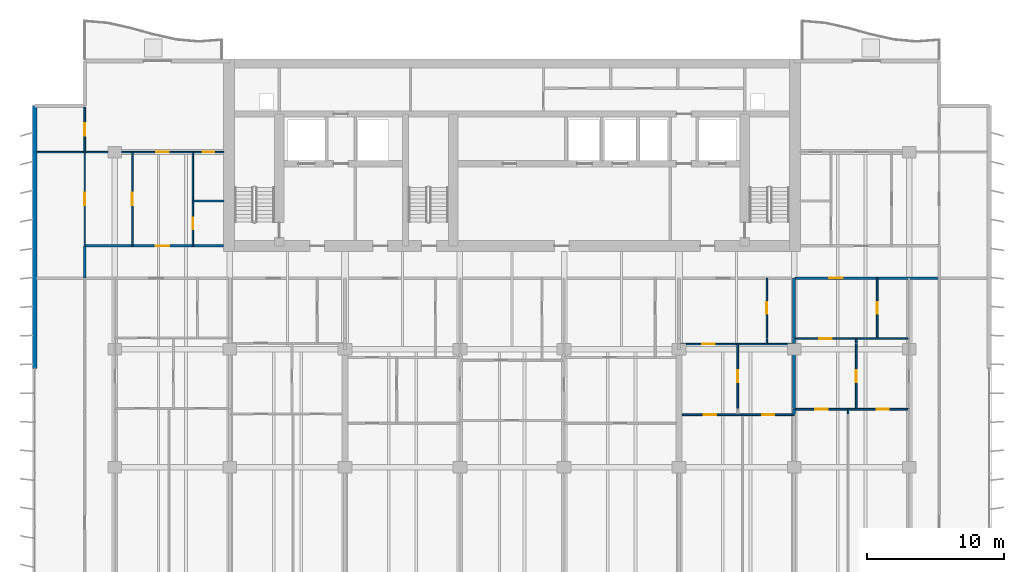
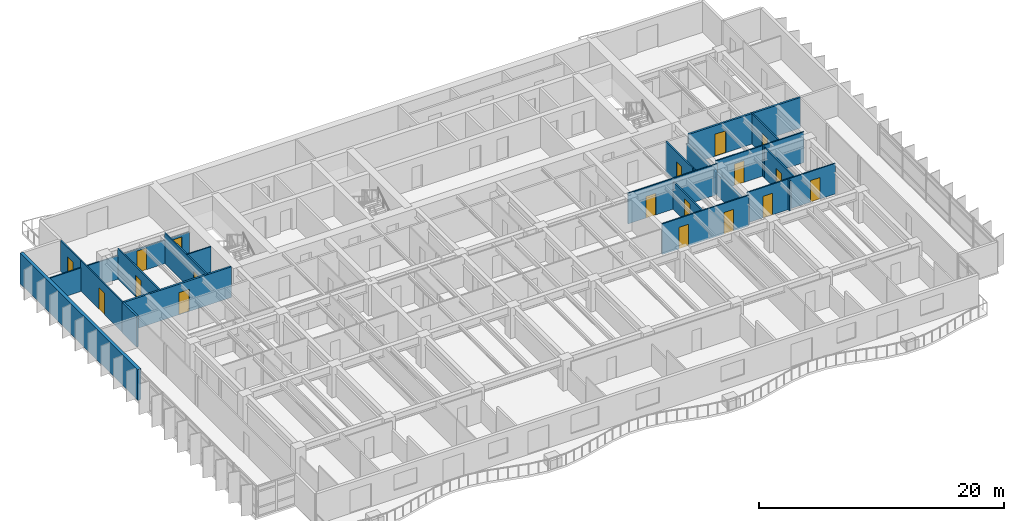
# One storey, part 9 of 16: 25 walls, 18 doors, 18 openings.
"""IFC4 building model written with IfcOpenShell, lengths in metres."""

import ifcopenshell
import ifcopenshell.guid

model = None  # the IFC model being written
_history = None  # IfcOwnerHistory: only IFC2X3 demands one
_inside = {}  # id of a spatial element -> (the spatial element, [elements in it])
_under = {}  # id of a project, library or spatial element -> (it, [spatial elements below it])
_declared = {}  # id of a project -> (the project, [libraries it declares])
_typed = {}  # id of a type object -> (the type object, [elements of that type])
_made_of = {}  # id of a material, layer set ... -> (it, [elements and type objects made of it])


def new_model(schema):
    """Start an empty IFC model of exactly this schema.

    Asked for "IFC4X3", IfcOpenShell would pick the latest addendum, in which some entities
    have other attributes; the version numbers below select the first issue.
    IFC2X3 requires an IfcOwnerHistory on every rooted entity: one is made here for all.
    """
    global model, _history
    if schema == "IFC4X3":
        model = ifcopenshell.file(schema_version=(4, 3, 0, 0))
    else:
        model = ifcopenshell.file(schema=schema)
    _inside.clear()
    _under.clear()
    _declared.clear()
    _typed.clear()
    _made_of.clear()
    _history = None
    if model.schema == "IFC2X3":
        org = make("IfcOrganization", Name="unknown")
        user = make(
            "IfcPersonAndOrganization",
            ThePerson=make("IfcPerson", FamilyName="unknown"),
            TheOrganization=org,
        )
        app = make(
            "IfcApplication",
            ApplicationDeveloper=org,
            Version="unknown",
            ApplicationFullName="unknown",
            ApplicationIdentifier="unknown",
        )
        _history = make(
            "IfcOwnerHistory",
            OwningUser=user,
            OwningApplication=app,
            ChangeAction="ADDED",
            CreationDate=0,
        )
    return model


def make(cls, **values):
    """One entity of the class cls with the attributes given. An attribute that is None is left unset."""
    return model.create_entity(
        cls, **{name: value for name, value in values.items() if value is not None}
    )


def rooted(cls, **values):
    """An entity with a GlobalId (a new one), such as an element, a storey or a relation."""
    return make(cls, GlobalId=ifcopenshell.guid.new(), OwnerHistory=_history, **values)


def si_unit(unit_type, name, prefix=None):
    """IfcSIUnit, for example si_unit("LENGTHUNIT", "METRE", prefix="MILLI")."""
    return make("IfcSIUnit", UnitType=unit_type, Prefix=prefix, Name=name)


def assignment(units):
    """IfcUnitAssignment: the units of a project."""
    return None if units is None else make("IfcUnitAssignment", Units=units)


def point(xyz):
    """IfcCartesianPoint."""
    return None if xyz is None else make("IfcCartesianPoint", Coordinates=xyz)


def direction(xyz):
    """IfcDirection."""
    return None if xyz is None else make("IfcDirection", DirectionRatios=xyz)


def frame(location, z_axis=None, x_axis=None):
    """IfcAxis2Placement3D, a coordinate frame: its origin and axes. An axis left out is left unset."""
    return make(
        "IfcAxis2Placement3D",
        Location=point(location),
        Axis=direction(z_axis),
        RefDirection=direction(x_axis),
    )


def frame_2d(location, x_axis=None):
    """IfcAxis2Placement2D, a coordinate frame in the plane: its origin and x axis."""
    return make(
        "IfcAxis2Placement2D", Location=point(location), RefDirection=direction(x_axis)
    )


def origin():
    """The frame at (0, 0, 0) with its axes left unset."""
    return frame((0.0, 0.0, 0.0))


def place(relative_to, where):
    """IfcLocalPlacement: puts the frame where relative to a parent placement (None: the world)."""
    return make(
        "IfcLocalPlacement", PlacementRelTo=relative_to, RelativePlacement=where
    )


def context(
    kind, dimensions, precision=None, world=None, true_north=None, identifier=None
):
    """IfcGeometricRepresentationContext, for example the 3D "Model" context."""
    return make(
        "IfcGeometricRepresentationContext",
        ContextIdentifier=identifier,
        ContextType=kind,
        CoordinateSpaceDimension=dimensions,
        Precision=precision,
        WorldCoordinateSystem=world,
        TrueNorth=true_north,
    )


def subcontext(parent, identifier, kind, view, scale=None):
    """IfcGeometricRepresentationSubContext, for example "Body" below "Model"."""
    return make(
        "IfcGeometricRepresentationSubContext",
        ContextIdentifier=identifier,
        ContextType=kind,
        ParentContext=parent,
        TargetScale=scale,
        TargetView=view,
    )


def project(units=None, contexts=None):
    """IfcProject with its units and contexts."""
    return rooted(
        "IfcProject",
        Name="project",
        RepresentationContexts=contexts,
        UnitsInContext=assignment(units),
    )


def spatial(cls, under=None, at=None, **own):
    """A site, building, storey or space (cls), placed at a placement, below another one or the project."""
    s = rooted(cls, ObjectPlacement=at, **own)
    if under is not None:
        _under.setdefault(under.id(), (under, []))[1].append(s)
    return s


def profile(cls, at=None, kind="AREA", **sizes):
    """A parametric profile (cls). Its sizes go by their IFC names, for example OverallWidth=200.0."""
    return make(cls, ProfileType=kind, Position=at, **sizes)


def rectangle(**sizes):
    """IfcRectangleProfileDef."""
    return profile("IfcRectangleProfileDef", **sizes)


def extrude(swept, where, along, depth):
    """IfcExtrudedAreaSolid: the profile swept, set in the frame where, extruded along a direction by depth."""
    return make(
        "IfcExtrudedAreaSolid",
        SweptArea=swept,
        Position=where,
        ExtrudedDirection=direction(along),
        Depth=depth,
    )


def shape(context_of_items, identifier, shape_type, items):
    """IfcShapeRepresentation: the items that make up one representation, for example the "Body"."""
    return make(
        "IfcShapeRepresentation",
        ContextOfItems=context_of_items,
        RepresentationIdentifier=identifier,
        RepresentationType=shape_type,
        Items=items,
    )


def material(Name=None, Category=None):
    """IfcMaterial."""
    return make("IfcMaterial", Name=Name, Category=Category)


def layer(
    of_material, thickness, ventilated=None, Name=None, Category=None, Priority=None
):
    """IfcMaterialLayer: one layer of a wall or slab, of a material (None: an air gap)."""
    return make(
        "IfcMaterialLayer",
        Material=of_material,
        LayerThickness=thickness,
        IsVentilated=ventilated,
        Name=Name,
        Category=Category,
        Priority=Priority,
    )


def layer_set(layers, Name=None):
    """IfcMaterialLayerSet."""
    return make("IfcMaterialLayerSet", MaterialLayers=layers, LayerSetName=Name)


def made_of(thing, what):
    """Note that an element or type object is made of a material, layer set ...; save() writes the relation."""
    if what is not None:
        _made_of.setdefault(what.id(), (what, []))[1].append(thing)
    return thing


def type_object(cls, material=None, **own):
    """A type object (cls), such as IfcWallType, which elements share."""
    return made_of(rooted(cls, **own), material)


def element(
    cls,
    number,
    at=None,
    inside=None,
    cuts=None,
    type_object=None,
    material=None,
    context=None,
    identifier="Body",
    shape_type=None,
    held_by="IfcProductDefinitionShape",
    body=None,
    shapes=None,
    **own,
):
    """One element of the class cls, such as IfcWall. Its Tag is "e" and its number.

    at: its placement. inside: the storey or other place that contains it. cuts: it is an
    opening in that element (IfcRelVoidsElement). A single representation is given by context,
    identifier, shape_type and body (its items); several are given by shapes. held_by: the class
    of the entity that holds the representations. save() writes the other relations.
    """
    e = rooted(cls, Tag="e%d" % number, ObjectPlacement=at, **own)
    if body is not None:
        shapes = [shape(context, identifier, shape_type, body)]
    if shapes is not None:
        e.Representation = make(held_by, Representations=shapes)
    if inside is not None:
        _inside.setdefault(inside.id(), (inside, []))[1].append(e)
    if cuts is not None:
        rooted(
            "IfcRelVoidsElement", RelatingBuildingElement=cuts, RelatedOpeningElement=e
        )
    if type_object is not None:
        _typed.setdefault(type_object.id(), (type_object, []))[1].append(e)
    return made_of(e, material)


def fill(opening, filler):
    """IfcRelFillsElement: the door or window that sits in an opening."""
    return rooted(
        "IfcRelFillsElement",
        RelatingOpeningElement=opening,
        RelatedBuildingElement=filler,
    )


def aggregate(whole, parts):
    """IfcRelAggregates: a whole, such as a stair, and the parts it consists of."""
    return rooted("IfcRelAggregates", RelatingObject=whole, RelatedObjects=parts)


def save(model, path):
    """Write the relations noted so far, then the file.

    IfcRelAggregates (storeys below a building ...), IfcRelContainedInSpatialStructure (elements
    in a storey), IfcRelDefinesByType, IfcRelAssociatesMaterial and IfcRelDeclares: one each for
    every whole, place, type object, material and project.
    """
    for whole, parts in _under.values():
        aggregate(whole, parts)
    for where, things in _inside.values():
        rooted(
            "IfcRelContainedInSpatialStructure",
            RelatedElements=things,
            RelatingStructure=where,
        )
    for kind, things in _typed.values():
        rooted("IfcRelDefinesByType", RelatedObjects=things, RelatingType=kind)
    for what, things in _made_of.values():
        rooted("IfcRelAssociatesMaterial", RelatedObjects=things, RelatingMaterial=what)
    for by, libraries in _declared.values():
        rooted("IfcRelDeclares", RelatingContext=by, RelatedDefinitions=libraries)
    model.write(path)


model = new_model("IFC4")

# Units and contexts
model_context = context("Model", 3, precision=1e-05, world=origin(), true_north=direction((0.0, 1.0)))
body_context = subcontext(model_context, "Body", "Model", "MODEL_VIEW")
ifc_project = project(units=[si_unit("LENGTHUNIT", "METRE"), si_unit("AREAUNIT", "SQUARE_METRE"), si_unit("VOLUMEUNIT", "CUBIC_METRE"), si_unit("PLANEANGLEUNIT", "RADIAN"), si_unit("MASSUNIT", "GRAM", prefix="KILO")], contexts=[model_context])

# Site, building, storey
site_placement = place(None, origin())
site = spatial("IfcSite", under=ifc_project, at=site_placement, CompositionType="ELEMENT")
building_placement = place(site_placement, origin())
building = spatial("IfcBuilding", under=site, at=building_placement, Name="Caelmar Bay Residences", CompositionType="ELEMENT")
storey_placement = place(building_placement, frame((0.0, 0.0, 102.60009765625)))
storey = spatial("IfcBuildingStorey", under=building, at=storey_placement, Name="L27", CompositionType="ELEMENT", Elevation=102.60009765625)

# Wall
ifc_material_1 = material(Name="Double-stud acoustic fire-rated gypsum partition 180 mm")
ifc_layer_1 = layer(ifc_material_1, 0.179931640625)
ifc_layer_set_1 = layer_set([ifc_layer_1], Name="Double-stud acoustic fire-rated gypsum partition 180 mm")
wall_type_1 = type_object("IfcWallType", Name="W-COR-200", PredefinedType="PARTITIONING", material=ifc_layer_set_1)
wall_1_placement = place(storey_placement, frame((7.699951171875, 34.60498046875, 0.0), z_axis=(0.0, 0.0, 1.0), x_axis=(0.0, 1.0, 0.0)))
element("IfcWall", 1, at=wall_1_placement, inside=storey, type_object=wall_type_1, Name="L27 Partition Wall V006", PredefinedType="PARTITIONING", context=body_context, shape_type="SweptSolid", body=[
    extrude(rectangle(XDim=2.344970703125, YDim=0.179931640625, at=frame_2d((1.17236328125, 0.0))), origin(), (0.0, 0.0, 1.0), 3.0498046875),
])

# Wall, opening, door
wall_2_placement = place(storey_placement, frame((59.550048828125, 34.60009765625, 0.0), z_axis=(0.0, 0.0, 1.0), x_axis=(1.0, 0.0, 0.0)))
wall_2 = element("IfcWall", 2, at=wall_2_placement, inside=storey, type_object=wall_type_1, Name="L27 Partition Wall H140", PredefinedType="PARTITIONING", context=body_context, shape_type="SweptSolid", body=[
    extrude(rectangle(XDim=10.550048828125, YDim=0.179931640625, at=frame_2d((5.27490234375, 0.0))), origin(), (0.0, 0.0, 1.0), 3.0498046875),
])
opening_1_placement = place(wall_2_placement, frame((2.510009765625, 0.0, 0.0)))
opening_1 = element("IfcOpeningElement", 3, at=opening_1_placement, cuts=wall_2, Name="Opening D-L27-158", PredefinedType="OPENING", context=body_context, shape_type="SweptSolid", body=[
    extrude(rectangle(XDim=1.0, YDim=2.199951171875, at=frame_2d((0.5, 1.10009765625))), frame((0.0, 0.099853515625, 0.0), z_axis=(0.0, -1.0, 0.0), x_axis=(1.0, 0.0, 0.0)), (0.0, 0.0, 1.0), 0.199951171875),
])
ifc_material_2 = material(Name="Fire-rated steel and walnut architectural door assembly", Category="steel")
ifc_layer_2 = layer(ifc_material_2, 0.050048828125)
ifc_layer_set_2 = layer_set([ifc_layer_2], Name="Fire-rated steel and walnut architectural door assembly")
door_type_1 = type_object("IfcDoorType", Name="D-UNIT-1000", OperationType="NOTDEFINED", PredefinedType="DOOR", material=ifc_layer_set_2)
door_1_placement = place(opening_1_placement, origin())
door_1 = element("IfcDoor", 4, at=door_1_placement, inside=storey, type_object=door_type_1, Name="L27 Residence 05 Apartment Hall Door", OperationType="SINGLE_SWING_LEFT", OverallHeight=2.199951171875, OverallWidth=1.0, PredefinedType="DOOR", context=body_context, shape_type="SweptSolid", body=[
    extrude(rectangle(XDim=1.0, YDim=2.199951171875, at=frame_2d((0.5, 1.10009765625))), frame((0.0, 0.02490234375, 0.0), z_axis=(0.0, -1.0, 0.0), x_axis=(1.0, 0.0, 0.0)), (0.0, 0.0, 1.0), 0.050048828125),
])
fill(opening_1, door_1)

wall_3_placement = place(storey_placement, frame((7.699951171875, 36.949951171875, 0.0), z_axis=(0.0, 0.0, 1.0), x_axis=(1.0, 0.0, 0.0)))
wall_3 = element("IfcWall", 5, at=wall_3_placement, inside=storey, type_object=wall_type_1, Name="L27 Partition Wall H142", PredefinedType="PARTITIONING", context=body_context, shape_type="SweptSolid", body=[
    extrude(rectangle(XDim=10.14501953125, YDim=0.179931640625, at=frame_2d((5.072509765625, 0.0))), origin(), (0.0, 0.0, 1.0), 3.0498046875),
])
opening_2_placement = place(wall_3_placement, frame((5.18798828125, 0.0, 0.0)))
opening_2 = element("IfcOpeningElement", 6, at=opening_2_placement, cuts=wall_3, Name="Opening D-L27-169", PredefinedType="OPENING", context=body_context, shape_type="SweptSolid", body=[
    extrude(rectangle(XDim=1.0, YDim=2.199951171875, at=frame_2d((0.5, 1.10009765625))), frame((0.0, 0.099853515625, 0.0), z_axis=(0.0, -1.0, 0.0), x_axis=(1.0, 0.0, 0.0)), (0.0, 0.0, 1.0), 0.199951171875),
])
door_2_placement = place(opening_2_placement, origin())
door_2 = element("IfcDoor", 7, at=door_2_placement, inside=storey, type_object=door_type_1, Name="L27 Residence WA Kitchen Door", OperationType="SINGLE_SWING_RIGHT", OverallHeight=2.199951171875, OverallWidth=1.0, PredefinedType="DOOR", context=body_context, shape_type="SweptSolid", body=[
    extrude(rectangle(XDim=1.0, YDim=2.199951171875, at=frame_2d((0.5, 1.10009765625))), frame((0.0, 0.02490234375, 0.0), z_axis=(0.0, -1.0, 0.0), x_axis=(1.0, 0.0, 0.0)), (0.0, 0.0, 1.0), 0.050048828125),
])
fill(opening_2, door_2)

# Wall
ifc_material_3 = material(Name="Precast concrete f'c 40 MPa (6,000 psi)", Category="concrete")
ifc_layer_3 = layer(ifc_material_3, 0.300048828125)
ifc_layer_set_3 = layer_set([ifc_layer_3], Name="Precast concrete f'c 40 MPa (6,000 psi)")
wall_type_2 = type_object("IfcWallType", Name="W-EXT-300", PredefinedType="STANDARD", material=ifc_layer_set_3)
wall_4_placement = place(storey_placement, frame((4.050048828125, 28.0, 0.0), z_axis=(0.0, 0.0, 1.0), x_axis=(0.0, 1.0, 0.0)))
element("IfcWall", 8, at=wall_4_placement, inside=storey, type_object=wall_type_2, Name="L27 West Rear Exterior Wall", PredefinedType="STANDARD", context=body_context, shape_type="SweptSolid", body=[
    extrude(rectangle(XDim=19.199951171875, YDim=0.300048828125, at=frame_2d((9.60009765625, 0.0))), origin(), (0.0, 0.0, 1.0), 3.0498046875),
])

# Wall, opening, door
ifc_material_4 = material(Name="Anodised bronze framed acoustic sliding study partition 100 mm")
ifc_layer_4 = layer(ifc_material_4, 0.10009765625)
ifc_layer_set_4 = layer_set([ifc_layer_4], Name="Anodised bronze framed acoustic sliding study partition 100 mm")
wall_type_3 = type_object("IfcWallType", Name="W-MOV-100", PredefinedType="MOVABLE", material=ifc_layer_set_4)
wall_5_placement = place(storey_placement, frame((7.699951171875, 36.955078125, 0.0), z_axis=(0.0, 0.0, 1.0), x_axis=(0.0, 1.0, 0.0)))
wall_5 = element("IfcWall", 9, at=wall_5_placement, inside=storey, type_object=wall_type_3, Name="L27 Partition Wall V007", PredefinedType="MOVABLE", context=body_context, shape_type="SweptSolid", body=[
    extrude(rectangle(XDim=6.844970703125, YDim=0.10009765625, at=frame_2d((3.42236328125, 0.0))), origin(), (0.0, 0.0, 1.0), 3.0498046875),
])
opening_3_placement = place(wall_5_placement, frame((2.972412109375, 0.0, 0.0)))
opening_3 = element("IfcOpeningElement", 10, at=opening_3_placement, cuts=wall_5, Name="Opening D-L27-173", PredefinedType="OPENING", context=body_context, shape_type="SweptSolid", body=[
    extrude(rectangle(XDim=0.89990234375, YDim=2.14990234375, at=frame_2d((0.449951171875, 1.074951171875))), frame((0.0, 0.06005859375, 0.0), z_axis=(0.0, -1.0, 0.0), x_axis=(1.0, 0.0, 0.0)), (0.0, 0.0, 1.0), 0.1201171875),
])
ifc_material_5 = material(Name="Solid walnut timber interior door leaf and frame", Category="wood")
ifc_layer_5 = layer(ifc_material_5, 0.050048828125)
ifc_layer_set_5 = layer_set([ifc_layer_5], Name="Solid walnut timber interior door leaf and frame")
door_type_2 = type_object("IfcDoorType", Name="D-ROOM-900", OperationType="NOTDEFINED", PredefinedType="DOOR", material=ifc_layer_set_5)
door_3_placement = place(opening_3_placement, origin())
door_3 = element("IfcDoor", 11, at=door_3_placement, inside=storey, type_object=door_type_2, Name="L27 Residence WA Sun Study Door", OperationType="SINGLE_SWING_RIGHT", OverallHeight=2.14990234375, OverallWidth=0.89990234375, PredefinedType="DOOR", context=body_context, shape_type="SweptSolid", body=[
    extrude(rectangle(XDim=0.89990234375, YDim=2.14990234375, at=frame_2d((0.449951171875, 1.074951171875))), frame((0.0, 0.02490234375, 0.0), z_axis=(0.0, -1.0, 0.0), x_axis=(1.0, 0.0, 0.0)), (0.0, 0.0, 1.0), 0.050048828125),
])
fill(opening_3, door_3)

ifc_material_6 = material(Name="Acoustic metal-stud gypsum partition 120 mm")
ifc_layer_6 = layer(ifc_material_6, 0.1201171875)
ifc_layer_set_6 = layer_set([ifc_layer_6], Name="Acoustic metal-stud gypsum partition 120 mm")
wall_type_4 = type_object("IfcWallType", Name="W-PRT-120", PredefinedType="PARTITIONING", material=ifc_layer_set_6)
wall_6_placement = place(storey_placement, frame((7.699951171875, 43.804931640625, 0.0), z_axis=(0.0, 0.0, 1.0), x_axis=(0.0, 1.0, 0.0)))
wall_6 = element("IfcWall", 12, at=wall_6_placement, inside=storey, type_object=wall_type_4, Name="L27 Partition Wall V008", PredefinedType="PARTITIONING", context=body_context, shape_type="SweptSolid", body=[
    extrude(rectangle(XDim=3.275146484375, YDim=0.1201171875, at=frame_2d((1.6376953125, 0.0))), origin(), (0.0, 0.0, 1.0), 3.0498046875),
])
opening_4_placement = place(wall_6_placement, frame((1.1875, 0.0, 0.0)))
opening_4 = element("IfcOpeningElement", 13, at=opening_4_placement, cuts=wall_6, Name="Opening D-L27-174", PredefinedType="OPENING", context=body_context, shape_type="SweptSolid", body=[
    extrude(rectangle(XDim=0.89990234375, YDim=2.14990234375, at=frame_2d((0.449951171875, 1.074951171875))), frame((0.0, 0.070068359375, 0.0), z_axis=(0.0, -1.0, 0.0), x_axis=(1.0, 0.0, 0.0)), (0.0, 0.0, 1.0), 0.14013671875),
])
door_4_placement = place(opening_4_placement, origin())
door_4 = element("IfcDoor", 14, at=door_4_placement, inside=storey, type_object=door_type_2, Name="L27 Residence WA North Sitting Alcove Door", OperationType="SINGLE_SWING_LEFT", OverallHeight=2.14990234375, OverallWidth=0.89990234375, PredefinedType="DOOR", context=body_context, shape_type="SweptSolid", body=[
    extrude(rectangle(XDim=0.89990234375, YDim=2.14990234375, at=frame_2d((0.449951171875, 1.074951171875))), frame((0.0, 0.02490234375, 0.0), z_axis=(0.0, -1.0, 0.0), x_axis=(1.0, 0.0, 0.0)), (0.0, 0.0, 1.0), 0.050048828125),
])
fill(opening_4, door_4)

wall_7_placement = place(storey_placement, frame((11.176025390625, 36.949951171875, 0.0), z_axis=(0.0, 0.0, 1.0), x_axis=(0.0, 1.0, 0.0)))
wall_7 = element("IfcWall", 15, at=wall_7_placement, inside=storey, type_object=wall_type_4, Name="L27 Partition Wall V015", PredefinedType="PARTITIONING", context=body_context, shape_type="SweptSolid", body=[
    extrude(rectangle(XDim=6.85009765625, YDim=0.1201171875, at=frame_2d((3.425048828125, 0.0))), origin(), (0.0, 0.0, 1.0), 3.0498046875),
])
opening_5_placement = place(wall_7_placement, frame((2.97509765625, 0.0, 0.0)))
opening_5 = element("IfcOpeningElement", 16, at=opening_5_placement, cuts=wall_7, Name="Opening D-L27-168", PredefinedType="OPENING", context=body_context, shape_type="SweptSolid", body=[
    extrude(rectangle(XDim=0.89990234375, YDim=2.14990234375, at=frame_2d((0.449951171875, 1.074951171875))), frame((0.0, 0.070068359375, 0.0), z_axis=(0.0, -1.0, 0.0), x_axis=(1.0, 0.0, 0.0)), (0.0, 0.0, 1.0), 0.14013671875),
])
door_5_placement = place(opening_5_placement, origin())
door_5 = element("IfcDoor", 17, at=door_5_placement, inside=storey, type_object=door_type_2, Name="L27 Residence WA Dining Room Door", OperationType="SINGLE_SWING_LEFT", OverallHeight=2.14990234375, OverallWidth=0.89990234375, PredefinedType="DOOR", context=body_context, shape_type="SweptSolid", body=[
    extrude(rectangle(XDim=0.89990234375, YDim=2.14990234375, at=frame_2d((0.449951171875, 1.074951171875))), frame((0.0, 0.02490234375, 0.0), z_axis=(0.0, -1.0, 0.0), x_axis=(1.0, 0.0, 0.0)), (0.0, 0.0, 1.0), 0.050048828125),
])
fill(opening_5, door_5)

wall_8_placement = place(storey_placement, frame((15.60009765625, 36.949951171875, 0.0), z_axis=(0.0, 0.0, 1.0), x_axis=(0.0, 1.0, 0.0)))
wall_8 = element("IfcWall", 18, at=wall_8_placement, inside=storey, type_object=wall_type_4, Name="L27 Partition Wall V021", PredefinedType="PARTITIONING", context=body_context, shape_type="SweptSolid", body=[
    extrude(rectangle(XDim=6.85009765625, YDim=0.1201171875, at=frame_2d((3.425048828125, 0.0))), origin(), (0.0, 0.0, 1.0), 3.0498046875),
])
opening_6_placement = place(wall_8_placement, frame((1.218994140625, 0.0, 0.0)))
opening_6 = element("IfcOpeningElement", 19, at=opening_6_placement, cuts=wall_8, Name="Opening D-L27-171", PredefinedType="OPENING", context=body_context, shape_type="SweptSolid", body=[
    extrude(rectangle(XDim=0.85009765625, YDim=2.10009765625, at=frame_2d((0.425048828125, 1.050048828125))), frame((0.0, 0.070068359375, 0.0), z_axis=(0.0, -1.0, 0.0), x_axis=(1.0, 0.0, 0.0)), (0.0, 0.0, 1.0), 0.14013671875),
])
ifc_layer_7 = layer(ifc_material_5, 0.050048828125)
ifc_layer_set_7 = layer_set([ifc_layer_7], Name="Solid walnut timber interior door leaf and frame")
door_type_3 = type_object("IfcDoorType", Name="D-BATH-850", OperationType="NOTDEFINED", PredefinedType="DOOR", material=ifc_layer_set_7)
door_6_placement = place(opening_6_placement, origin())
door_6 = element("IfcDoor", 20, at=door_6_placement, inside=storey, type_object=door_type_3, Name="L27 Residence WA Walk-In Closet Door", OperationType="SINGLE_SWING_RIGHT", OverallHeight=2.10009765625, OverallWidth=0.85009765625, PredefinedType="DOOR", context=body_context, shape_type="SweptSolid", body=[
    extrude(rectangle(XDim=0.85009765625, YDim=2.10009765625, at=frame_2d((0.425048828125, 1.050048828125))), frame((0.0, 0.02490234375, 0.0), z_axis=(0.0, -1.0, 0.0), x_axis=(1.0, 0.0, 0.0)), (0.0, 0.0, 1.0), 0.050048828125),
])
fill(opening_6, door_6)

wall_9_placement = place(storey_placement, frame((55.385986328125, 25.090087890625, 0.0), z_axis=(0.0, 0.0, 1.0), x_axis=(0.0, 1.0, 0.0)))
wall_9 = element("IfcWall", 21, at=wall_9_placement, inside=storey, type_object=wall_type_4, Name="L27 Partition Wall V084", PredefinedType="PARTITIONING", context=body_context, shape_type="SweptSolid", body=[
    extrude(rectangle(XDim=4.68994140625, YDim=0.1201171875, at=frame_2d((2.344970703125, 0.0))), origin(), (0.0, 0.0, 1.0), 2.724853515625),
])
opening_7_placement = place(wall_9_placement, frame((1.89501953125, 0.0, 0.0)))
opening_7 = element("IfcOpeningElement", 22, at=opening_7_placement, cuts=wall_9, Name="Opening D-L27-154", PredefinedType="OPENING", context=body_context, shape_type="SweptSolid", body=[
    extrude(rectangle(XDim=0.89990234375, YDim=2.14990234375, at=frame_2d((0.449951171875, 1.074951171875))), frame((0.0, 0.070068359375, 0.0), z_axis=(0.0, -1.0, 0.0), x_axis=(1.0, 0.0, 0.0)), (0.0, 0.0, 1.0), 0.14013671875),
])
door_7_placement = place(opening_7_placement, origin())
door_7 = element("IfcDoor", 23, at=door_7_placement, inside=storey, type_object=door_type_2, Name="L27 Residence 04 Formal Dining Room Door", OperationType="SINGLE_SWING_LEFT", OverallHeight=2.14990234375, OverallWidth=0.89990234375, PredefinedType="DOOR", context=body_context, shape_type="SweptSolid", body=[
    extrude(rectangle(XDim=0.89990234375, YDim=2.14990234375, at=frame_2d((0.449951171875, 1.074951171875))), frame((0.0, 0.02490234375, 0.0), z_axis=(0.0, -1.0, 0.0), x_axis=(1.0, 0.0, 0.0)), (0.0, 0.0, 1.0), 0.050048828125),
])
fill(opening_7, door_7)

# Wall
wall_10_placement = place(storey_placement, frame((57.508056640625, 29.840087890625, 0.0), z_axis=(0.0, 0.0, 1.0), x_axis=(0.0, 1.0, 0.0)))
element("IfcWall", 24, at=wall_10_placement, inside=storey, type_object=wall_type_4, Name="L27 Partition Wall V088", PredefinedType="PARTITIONING", context=body_context, shape_type="SweptSolid", body=[
    extrude(rectangle(XDim=0.33984375, YDim=0.1201171875, at=frame_2d((0.169921875, 0.0))), origin(), (0.0, 0.0, 1.0), 3.0498046875),
])

# Wall, opening, door
wall_11_placement = place(storey_placement, frame((57.508056640625, 30.239990234375, 0.0), z_axis=(0.0, 0.0, 1.0), x_axis=(0.0, 1.0, 0.0)))
wall_11 = element("IfcWall", 25, at=wall_11_placement, inside=storey, type_object=wall_type_4, Name="L27 Partition Wall V089", PredefinedType="PARTITIONING", context=body_context, shape_type="SweptSolid", body=[
    extrude(rectangle(XDim=4.360107421875, YDim=0.1201171875, at=frame_2d((2.18017578125, 0.0))), origin(), (0.0, 0.0, 1.0), 3.0498046875),
])
opening_8_placement = place(wall_11_placement, frame((1.7548828125, 0.0, 0.0)))
opening_8 = element("IfcOpeningElement", 26, at=opening_8_placement, cuts=wall_11, Name="Opening D-L27-152", PredefinedType="OPENING", context=body_context, shape_type="SweptSolid", body=[
    extrude(rectangle(XDim=0.85009765625, YDim=2.10009765625, at=frame_2d((0.425048828125, 1.050048828125))), frame((0.0, 0.070068359375, 0.0), z_axis=(0.0, -1.0, 0.0), x_axis=(1.0, 0.0, 0.0)), (0.0, 0.0, 1.0), 0.14013671875),
])
door_8_placement = place(opening_8_placement, origin())
door_8 = element("IfcDoor", 27, at=door_8_placement, inside=storey, type_object=door_type_3, Name="L27 Residence 04 Bathroom Door", OperationType="SINGLE_SWING_LEFT", OverallHeight=2.10009765625, OverallWidth=0.85009765625, PredefinedType="DOOR", context=body_context, shape_type="SweptSolid", body=[
    extrude(rectangle(XDim=0.85009765625, YDim=2.10009765625, at=frame_2d((0.425048828125, 1.050048828125))), frame((0.0, 0.02490234375, 0.0), z_axis=(0.0, -1.0, 0.0), x_axis=(1.0, 0.0, 0.0)), (0.0, 0.0, 1.0), 0.050048828125),
])
fill(opening_8, door_8)

# Wall
wall_12_placement = place(storey_placement, frame((63.447998046875, 24.68994140625, 0.0), z_axis=(0.0, 0.0, 1.0), x_axis=(0.0, 1.0, 0.0)))
element("IfcWall", 28, at=wall_12_placement, inside=storey, type_object=wall_type_4, Name="L27 Partition Wall V099", PredefinedType="PARTITIONING", context=body_context, shape_type="SweptSolid", body=[
    extrude(rectangle(XDim=0.340087890625, YDim=0.1201171875, at=frame_2d((0.169921875, 0.0))), origin(), (0.0, 0.0, 1.0), 3.0498046875),
])

# Wall, opening, door
wall_13_placement = place(storey_placement, frame((64.035888671875, 25.090087890625, 0.0), z_axis=(0.0, 0.0, 1.0), x_axis=(0.0, 1.0, 0.0)))
wall_13 = element("IfcWall", 29, at=wall_13_placement, inside=storey, type_object=wall_type_4, Name="L27 Partition Wall V100", PredefinedType="PARTITIONING", context=body_context, shape_type="SweptSolid", body=[
    extrude(rectangle(XDim=4.68994140625, YDim=0.1201171875, at=frame_2d((2.344970703125, 0.0))), origin(), (0.0, 0.0, 1.0), 3.0498046875),
])
opening_9_placement = place(wall_13_placement, frame((1.89501953125, 0.0, 0.0)))
opening_9 = element("IfcOpeningElement", 30, at=opening_9_placement, cuts=wall_13, Name="Opening D-L27-161", PredefinedType="OPENING", context=body_context, shape_type="SweptSolid", body=[
    extrude(rectangle(XDim=0.89990234375, YDim=2.14990234375, at=frame_2d((0.449951171875, 1.074951171875))), frame((0.0, 0.070068359375, 0.0), z_axis=(0.0, -1.0, 0.0), x_axis=(1.0, 0.0, 0.0)), (0.0, 0.0, 1.0), 0.14013671875),
])
door_9_placement = place(opening_9_placement, origin())
door_9 = element("IfcDoor", 31, at=door_9_placement, inside=storey, type_object=door_type_2, Name="L27 Residence 05 Formal Dining Room Door", OperationType="SINGLE_SWING_RIGHT", OverallHeight=2.14990234375, OverallWidth=0.89990234375, PredefinedType="DOOR", context=body_context, shape_type="SweptSolid", body=[
    extrude(rectangle(XDim=0.89990234375, YDim=2.14990234375, at=frame_2d((0.449951171875, 1.074951171875))), frame((0.0, 0.02490234375, 0.0), z_axis=(0.0, -1.0, 0.0), x_axis=(1.0, 0.0, 0.0)), (0.0, 0.0, 1.0), 0.050048828125),
])
fill(opening_9, door_9)

# Wall
wall_14_placement = place(storey_placement, frame((64.035888671875, 29.840087890625, 0.0), z_axis=(0.0, 0.0, 1.0), x_axis=(0.0, 1.0, 0.0)))
element("IfcWall", 32, at=wall_14_placement, inside=storey, type_object=wall_type_4, Name="L27 Partition Wall V101", PredefinedType="PARTITIONING", context=body_context, shape_type="SweptSolid", body=[
    extrude(rectangle(XDim=0.33984375, YDim=0.1201171875, at=frame_2d((0.169921875, 0.0))), origin(), (0.0, 0.0, 1.0), 3.0498046875),
])

# Wall, opening, door
wall_15_placement = place(storey_placement, frame((65.570068359375, 30.239990234375, 0.0), z_axis=(0.0, 0.0, 1.0), x_axis=(0.0, 1.0, 0.0)))
wall_15 = element("IfcWall", 33, at=wall_15_placement, inside=storey, type_object=wall_type_4, Name="L27 Partition Wall V102", PredefinedType="PARTITIONING", context=body_context, shape_type="SweptSolid", body=[
    extrude(rectangle(XDim=4.360107421875, YDim=0.1201171875, at=frame_2d((2.18017578125, 0.0))), origin(), (0.0, 0.0, 1.0), 3.0498046875),
])
opening_10_placement = place(wall_15_placement, frame((1.7548828125, 0.0, 0.0)))
opening_10 = element("IfcOpeningElement", 34, at=opening_10_placement, cuts=wall_15, Name="Opening D-L27-159", PredefinedType="OPENING", context=body_context, shape_type="SweptSolid", body=[
    extrude(rectangle(XDim=0.85009765625, YDim=2.10009765625, at=frame_2d((0.425048828125, 1.050048828125))), frame((0.0, 0.070068359375, 0.0), z_axis=(0.0, -1.0, 0.0), x_axis=(1.0, 0.0, 0.0)), (0.0, 0.0, 1.0), 0.14013671875),
])
door_10_placement = place(opening_10_placement, origin())
door_10 = element("IfcDoor", 35, at=door_10_placement, inside=storey, type_object=door_type_3, Name="L27 Residence 05 Bathroom Door", OperationType="SINGLE_SWING_RIGHT", OverallHeight=2.10009765625, OverallWidth=0.85009765625, PredefinedType="DOOR", context=body_context, shape_type="SweptSolid", body=[
    extrude(rectangle(XDim=0.85009765625, YDim=2.10009765625, at=frame_2d((0.425048828125, 1.050048828125))), frame((0.0, 0.02490234375, 0.0), z_axis=(0.0, -1.0, 0.0), x_axis=(1.0, 0.0, 0.0)), (0.0, 0.0, 1.0), 0.050048828125),
])
fill(opening_10, door_10)

# Wall, openings, doors
wall_16_placement = place(storey_placement, frame((51.320068359375, 24.6298828125, 0.0), z_axis=(0.0, 0.0, 1.0), x_axis=(1.0, 0.0, 0.0)))
wall_16 = element("IfcWall", 36, at=wall_16_placement, inside=storey, type_object=wall_type_4, Name="L27 Partition Wall H126", PredefinedType="PARTITIONING", context=body_context, shape_type="SweptSolid", body=[
    extrude(rectangle(XDim=8.179931640625, YDim=0.1201171875, at=frame_2d((4.08984375, 0.0))), origin(), (0.0, 0.0, 1.0), 3.0498046875),
])
opening_11_placement = place(wall_16_placement, frame((1.5830078125, 0.0, 0.0)))
opening_11 = element("IfcOpeningElement", 37, at=opening_11_placement, cuts=wall_16, Name="Opening D-L27-155", PredefinedType="OPENING", context=body_context, shape_type="SweptSolid", body=[
    extrude(rectangle(XDim=0.89990234375, YDim=2.14990234375, at=frame_2d((0.449951171875, 1.074951171875))), frame((0.0, 0.070068359375, 0.0), z_axis=(0.0, -1.0, 0.0), x_axis=(1.0, 0.0, 0.0)), (0.0, 0.0, 1.0), 0.14013671875),
])
opening_12_placement = place(wall_16_placement, frame((5.840087890625, 0.0, 0.0)))
opening_12 = element("IfcOpeningElement", 38, at=opening_12_placement, cuts=wall_16, Name="Opening D-L27-156", PredefinedType="OPENING", context=body_context, shape_type="SweptSolid", body=[
    extrude(rectangle(XDim=0.89990234375, YDim=2.14990234375, at=frame_2d((0.449951171875, 1.074951171875))), frame((0.0, 0.070068359375, 0.0), z_axis=(0.0, -1.0, 0.0), x_axis=(1.0, 0.0, 0.0)), (0.0, 0.0, 1.0), 0.14013671875),
])
door_11_placement = place(opening_11_placement, origin())
door_11 = element("IfcDoor", 39, at=door_11_placement, inside=storey, type_object=door_type_2, Name="L27 Residence 04 Penthouse Living Salon Door", OperationType="SINGLE_SWING_RIGHT", OverallHeight=2.14990234375, OverallWidth=0.89990234375, PredefinedType="DOOR", context=body_context, shape_type="SweptSolid", body=[
    extrude(rectangle(XDim=0.89990234375, YDim=2.14990234375, at=frame_2d((0.449951171875, 1.074951171875))), frame((0.0, 0.02490234375, 0.0), z_axis=(0.0, -1.0, 0.0), x_axis=(1.0, 0.0, 0.0)), (0.0, 0.0, 1.0), 0.050048828125),
])
fill(opening_11, door_11)
door_12_placement = place(opening_12_placement, origin())
door_12 = element("IfcDoor", 40, at=door_12_placement, inside=storey, type_object=door_type_2, Name="L27 Residence 04 Penthouse Sitting Room Door", OperationType="SINGLE_SWING_LEFT", OverallHeight=2.14990234375, OverallWidth=0.89990234375, PredefinedType="DOOR", context=body_context, shape_type="SweptSolid", body=[
    extrude(rectangle(XDim=0.89990234375, YDim=2.14990234375, at=frame_2d((0.449951171875, 1.074951171875))), frame((0.0, 0.02490234375, 0.0), z_axis=(0.0, -1.0, 0.0), x_axis=(1.0, 0.0, 0.0)), (0.0, 0.0, 1.0), 0.050048828125),
])
fill(opening_12, door_12)

wall_17_placement = place(storey_placement, frame((59.550048828125, 25.030029296875, 0.0), z_axis=(0.0, 0.0, 1.0), x_axis=(1.0, 0.0, 0.0)))
wall_17 = element("IfcWall", 41, at=wall_17_placement, inside=storey, type_object=wall_type_4, Name="L27 Partition Wall H128", PredefinedType="PARTITIONING", context=body_context, shape_type="SweptSolid", body=[
    extrude(rectangle(XDim=8.349853515625, YDim=0.1201171875, at=frame_2d((4.1748046875, 0.0))), origin(), (0.0, 0.0, 1.0), 3.0498046875),
])
opening_13_placement = place(wall_17_placement, frame((1.4990234375, 0.0, 0.0)))
opening_13 = element("IfcOpeningElement", 42, at=opening_13_placement, cuts=wall_17, Name="Opening D-L27-162", PredefinedType="OPENING", context=body_context, shape_type="SweptSolid", body=[
    extrude(rectangle(XDim=0.89990234375, YDim=2.14990234375, at=frame_2d((0.449951171875, 1.074951171875))), frame((0.0, 0.070068359375, 0.0), z_axis=(0.0, -1.0, 0.0), x_axis=(1.0, 0.0, 0.0)), (0.0, 0.0, 1.0), 0.14013671875),
])
opening_14_placement = place(wall_17_placement, frame((5.968017578125, 0.0, 0.0)))
opening_14 = element("IfcOpeningElement", 43, at=opening_14_placement, cuts=wall_17, Name="Opening D-L27-163", PredefinedType="OPENING", context=body_context, shape_type="SweptSolid", body=[
    extrude(rectangle(XDim=0.89990234375, YDim=2.14990234375, at=frame_2d((0.449951171875, 1.074951171875))), frame((0.0, 0.070068359375, 0.0), z_axis=(0.0, -1.0, 0.0), x_axis=(1.0, 0.0, 0.0)), (0.0, 0.0, 1.0), 0.14013671875),
])
door_13_placement = place(opening_13_placement, origin())
door_13 = element("IfcDoor", 44, at=door_13_placement, inside=storey, type_object=door_type_2, Name="L27 Residence 05 Penthouse Living Salon Door", OperationType="SINGLE_SWING_LEFT", OverallHeight=2.14990234375, OverallWidth=0.89990234375, PredefinedType="DOOR", context=body_context, shape_type="SweptSolid", body=[
    extrude(rectangle(XDim=0.89990234375, YDim=2.14990234375, at=frame_2d((0.449951171875, 1.074951171875))), frame((0.0, 0.02490234375, 0.0), z_axis=(0.0, -1.0, 0.0), x_axis=(1.0, 0.0, 0.0)), (0.0, 0.0, 1.0), 0.050048828125),
])
fill(opening_13, door_13)
door_14_placement = place(opening_14_placement, origin())
door_14 = element("IfcDoor", 45, at=door_14_placement, inside=storey, type_object=door_type_2, Name="L27 Residence 05 Penthouse Sitting Room Door", OperationType="SINGLE_SWING_RIGHT", OverallHeight=2.14990234375, OverallWidth=0.89990234375, PredefinedType="DOOR", context=body_context, shape_type="SweptSolid", body=[
    extrude(rectangle(XDim=0.89990234375, YDim=2.14990234375, at=frame_2d((0.449951171875, 1.074951171875))), frame((0.0, 0.02490234375, 0.0), z_axis=(0.0, -1.0, 0.0), x_axis=(1.0, 0.0, 0.0)), (0.0, 0.0, 1.0), 0.050048828125),
])
fill(opening_14, door_14)

# Wall, opening, door
wall_18_placement = place(storey_placement, frame((51.10009765625, 29.780029296875, 0.0), z_axis=(0.0, 0.0, 1.0), x_axis=(1.0, 0.0, 0.0)))
wall_18 = element("IfcWall", 46, at=wall_18_placement, inside=storey, type_object=wall_type_4, Name="L27 Partition Wall H133", PredefinedType="PARTITIONING", context=body_context, shape_type="SweptSolid", body=[
    extrude(rectangle(XDim=8.39990234375, YDim=0.1201171875, at=frame_2d((4.199951171875, 0.0))), origin(), (0.0, 0.0, 1.0), 3.0498046875),
])
opening_15_placement = place(wall_18_placement, frame((1.693115234375, 0.0, 0.0)))
opening_15 = element("IfcOpeningElement", 47, at=opening_15_placement, cuts=wall_18, Name="Opening D-L27-153", PredefinedType="OPENING", context=body_context, shape_type="SweptSolid", body=[
    extrude(rectangle(XDim=0.89990234375, YDim=2.14990234375, at=frame_2d((0.449951171875, 1.074951171875))), frame((0.0, 0.070068359375, 0.0), z_axis=(0.0, -1.0, 0.0), x_axis=(1.0, 0.0, 0.0)), (0.0, 0.0, 1.0), 0.14013671875),
])
door_15_placement = place(opening_15_placement, origin())
door_15 = element("IfcDoor", 48, at=door_15_placement, inside=storey, type_object=door_type_2, Name="L27 Residence 04 Kitchen Door", OperationType="SINGLE_SWING_RIGHT", OverallHeight=2.14990234375, OverallWidth=0.89990234375, PredefinedType="DOOR", context=body_context, shape_type="SweptSolid", body=[
    extrude(rectangle(XDim=0.89990234375, YDim=2.14990234375, at=frame_2d((0.449951171875, 1.074951171875))), frame((0.0, 0.02490234375, 0.0), z_axis=(0.0, -1.0, 0.0), x_axis=(1.0, 0.0, 0.0)), (0.0, 0.0, 1.0), 0.050048828125),
])
fill(opening_15, door_15)

wall_19_placement = place(storey_placement, frame((59.550048828125, 30.179931640625, 0.0), z_axis=(0.0, 0.0, 1.0), x_axis=(1.0, 0.0, 0.0)))
wall_19 = element("IfcWall", 49, at=wall_19_placement, inside=storey, type_object=wall_type_4, Name="L27 Partition Wall H135", PredefinedType="PARTITIONING", context=body_context, shape_type="SweptSolid", body=[
    extrude(rectangle(XDim=8.349853515625, YDim=0.1201171875, at=frame_2d((4.1748046875, 0.0))), origin(), (0.0, 0.0, 1.0), 3.0498046875),
])
opening_16_placement = place(wall_19_placement, frame((1.79296875, 0.0, 0.0)))
opening_16 = element("IfcOpeningElement", 50, at=opening_16_placement, cuts=wall_19, Name="Opening D-L27-160", PredefinedType="OPENING", context=body_context, shape_type="SweptSolid", body=[
    extrude(rectangle(XDim=0.89990234375, YDim=2.14990234375, at=frame_2d((0.449951171875, 1.074951171875))), frame((0.0, 0.070068359375, 0.0), z_axis=(0.0, -1.0, 0.0), x_axis=(1.0, 0.0, 0.0)), (0.0, 0.0, 1.0), 0.14013671875),
])
door_16_placement = place(opening_16_placement, origin())
door_16 = element("IfcDoor", 51, at=door_16_placement, inside=storey, type_object=door_type_2, Name="L27 Residence 05 Kitchen Door", OperationType="SINGLE_SWING_LEFT", OverallHeight=2.14990234375, OverallWidth=0.89990234375, PredefinedType="DOOR", context=body_context, shape_type="SweptSolid", body=[
    extrude(rectangle(XDim=0.89990234375, YDim=2.14990234375, at=frame_2d((0.449951171875, 1.074951171875))), frame((0.0, 0.02490234375, 0.0), z_axis=(0.0, -1.0, 0.0), x_axis=(1.0, 0.0, 0.0)), (0.0, 0.0, 1.0), 0.050048828125),
])
fill(opening_16, door_16)

# Wall
wall_20_placement = place(storey_placement, frame((15.60009765625, 40.238037109375, 0.0), z_axis=(0.0, 0.0, 1.0), x_axis=(1.0, 0.0, 0.0)))
element("IfcWall", 52, at=wall_20_placement, inside=storey, type_object=wall_type_4, Name="L27 Partition Wall H144", PredefinedType="PARTITIONING", context=body_context, shape_type="SweptSolid", body=[
    extrude(rectangle(XDim=2.2548828125, YDim=0.1201171875, at=frame_2d((1.12744140625, 0.0))), origin(), (0.0, 0.0, 1.0), 3.0498046875),
])

# Wall, openings, doors
wall_21_placement = place(storey_placement, frame((4.195068359375, 43.800048828125, 0.0), z_axis=(0.0, 0.0, 1.0), x_axis=(1.0, 0.0, 0.0)))
wall_21 = element("IfcWall", 53, at=wall_21_placement, inside=storey, type_object=wall_type_4, Name="L27 Partition Wall H146", PredefinedType="PARTITIONING", context=body_context, shape_type="SweptSolid", body=[
    extrude(rectangle(XDim=13.659912109375, YDim=0.1201171875, at=frame_2d((6.830078125, 0.0))), origin(), (0.0, 0.0, 1.0), 2.3388671875),
])
opening_17_placement = place(wall_21_placement, frame((8.742919921875, 0.0, 0.0)))
opening_17 = element("IfcOpeningElement", 54, at=opening_17_placement, cuts=wall_21, Name="Opening D-L27-170", PredefinedType="OPENING", context=body_context, shape_type="SweptSolid", body=[
    extrude(rectangle(XDim=0.89990234375, YDim=2.14990234375, at=frame_2d((0.449951171875, 1.074951171875))), frame((0.0, 0.070068359375, 0.0), z_axis=(0.0, -1.0, 0.0), x_axis=(1.0, 0.0, 0.0)), (0.0, 0.0, 1.0), 0.14013671875),
])
opening_18_placement = place(wall_21_placement, frame((12.107421875, 0.0, 0.0)))
opening_18 = element("IfcOpeningElement", 55, at=opening_18_placement, cuts=wall_21, Name="Opening D-L27-172", PredefinedType="OPENING", context=body_context, shape_type="SweptSolid", body=[
    extrude(rectangle(XDim=0.85009765625, YDim=2.10009765625, at=frame_2d((0.425048828125, 1.050048828125))), frame((0.0, 0.070068359375, 0.0), z_axis=(0.0, -1.0, 0.0), x_axis=(1.0, 0.0, 0.0)), (0.0, 0.0, 1.0), 0.14013671875),
])
door_17_placement = place(opening_18_placement, origin())
door_17 = element("IfcDoor", 56, at=door_17_placement, inside=storey, type_object=door_type_3, Name="L27 Residence WA Bathroom Door", OperationType="SINGLE_SWING_LEFT", OverallHeight=2.10009765625, OverallWidth=0.85009765625, PredefinedType="DOOR", context=body_context, shape_type="SweptSolid", body=[
    extrude(rectangle(XDim=0.85009765625, YDim=2.10009765625, at=frame_2d((0.425048828125, 1.050048828125))), frame((0.0, 0.02490234375, 0.0), z_axis=(0.0, -1.0, 0.0), x_axis=(1.0, 0.0, 0.0)), (0.0, 0.0, 1.0), 0.050048828125),
])
fill(opening_18, door_17)
door_18_placement = place(opening_17_placement, origin())
door_18 = element("IfcDoor", 57, at=door_18_placement, inside=storey, type_object=door_type_2, Name="L27 Residence WA Studio Living and Sleeping Room Door", OperationType="SINGLE_SWING_LEFT", OverallHeight=2.14990234375, OverallWidth=0.89990234375, PredefinedType="DOOR", context=body_context, shape_type="SweptSolid", body=[
    extrude(rectangle(XDim=0.89990234375, YDim=2.14990234375, at=frame_2d((0.449951171875, 1.074951171875))), frame((0.0, 0.02490234375, 0.0), z_axis=(0.0, -1.0, 0.0), x_axis=(1.0, 0.0, 0.0)), (0.0, 0.0, 1.0), 0.050048828125),
])
fill(opening_17, door_18)

# Walls
ifc_material_7 = material(Name="Acoustic twin-stud fire-rated inter-tenancy partition 200 mm")
ifc_layer_8 = layer(ifc_material_7, 0.199951171875)
ifc_layer_set_8 = layer_set([ifc_layer_8], Name="Acoustic twin-stud fire-rated inter-tenancy partition 200 mm")
wall_type_5 = type_object("IfcWallType", Name="W-PTY-200", PredefinedType="PARTITIONING", material=ifc_layer_set_8)
wall_22_placement = place(storey_placement, frame((59.5, 24.68994140625, 0.0), z_axis=(0.0, 0.0, 1.0), x_axis=(0.0, 1.0, 0.0)))
element("IfcWall", 58, at=wall_22_placement, inside=storey, type_object=wall_type_5, Name="L27 Partition Wall V092", PredefinedType="PARTITIONING", context=body_context, shape_type="SweptSolid", body=[
    extrude(rectangle(XDim=0.340087890625, YDim=0.199951171875, at=frame_2d((0.169921875, 0.0))), origin(), (0.0, 0.0, 1.0), 2.173828125),
])
wall_23_placement = place(storey_placement, frame((59.5, 25.090087890625, 0.0), z_axis=(0.0, 0.0, 1.0), x_axis=(0.0, 1.0, 0.0)))
element("IfcWall", 59, at=wall_23_placement, inside=storey, type_object=wall_type_5, Name="L27 Partition Wall V093", PredefinedType="PARTITIONING", context=body_context, shape_type="SweptSolid", body=[
    extrude(rectangle(XDim=4.68994140625, YDim=0.199951171875, at=frame_2d((2.344970703125, 0.0))), origin(), (0.0, 0.0, 1.0), 2.173828125),
])
wall_24_placement = place(storey_placement, frame((59.5, 29.840087890625, 0.0), z_axis=(0.0, 0.0, 1.0), x_axis=(0.0, 1.0, 0.0)))
element("IfcWall", 60, at=wall_24_placement, inside=storey, type_object=wall_type_5, Name="L27 Partition Wall V094", PredefinedType="PARTITIONING", context=body_context, shape_type="SweptSolid", body=[
    extrude(rectangle(XDim=0.33984375, YDim=0.199951171875, at=frame_2d((0.169921875, 0.0))), origin(), (0.0, 0.0, 1.0), 2.173828125),
])
wall_25_placement = place(storey_placement, frame((59.5, 30.239990234375, 0.0), z_axis=(0.0, 0.0, 1.0), x_axis=(0.0, 1.0, 0.0)))
element("IfcWall", 61, at=wall_25_placement, inside=storey, type_object=wall_type_5, Name="L27 Partition Wall V095", PredefinedType="PARTITIONING", context=body_context, shape_type="SweptSolid", body=[
    extrude(rectangle(XDim=4.360107421875, YDim=0.199951171875, at=frame_2d((2.18017578125, 0.0))), origin(), (0.0, 0.0, 1.0), 2.173828125),
])

save(model, "model.ifc")
